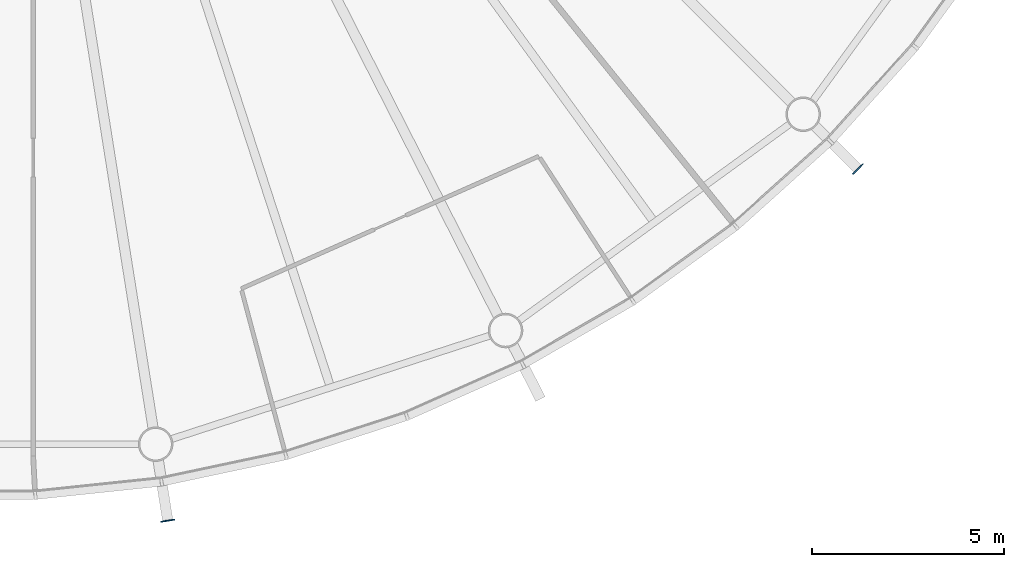
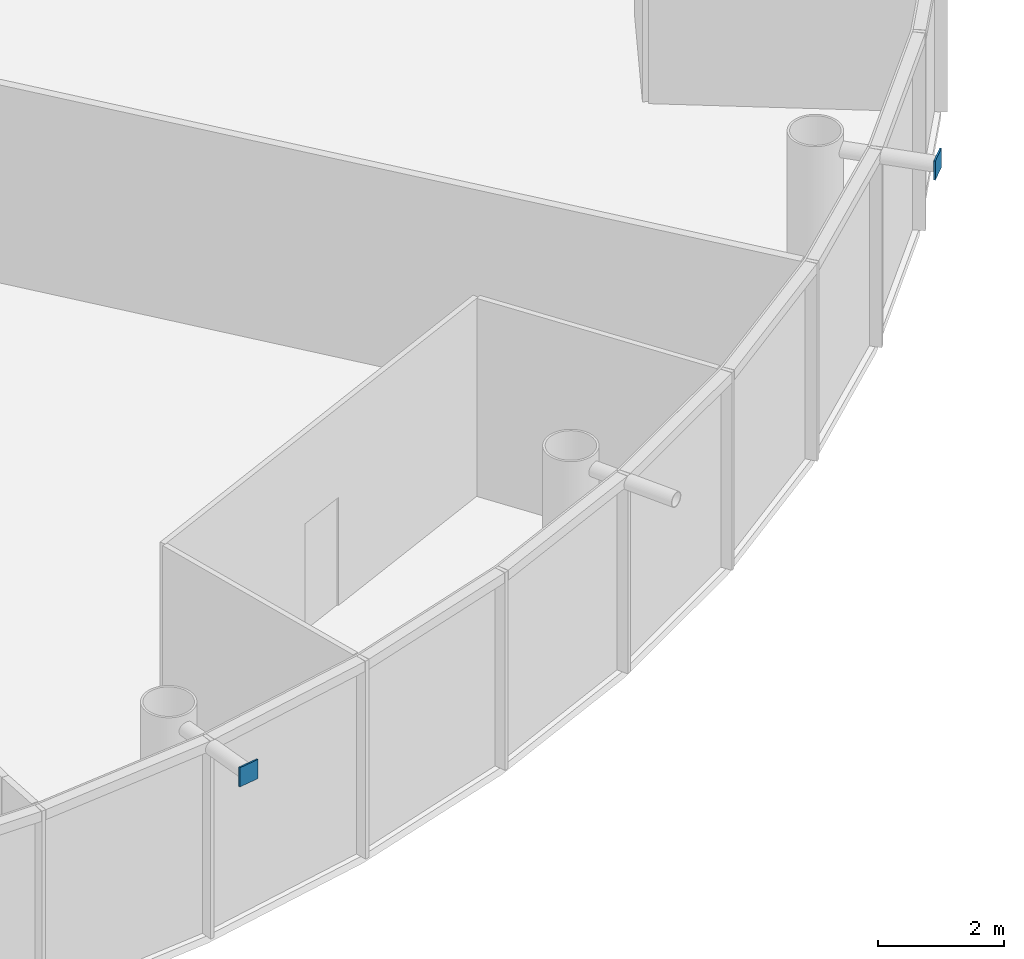
# One storey, part 8 of 18: 2 discrete accessories.
"""IFC4 building model written with IfcOpenShell, lengths in metres."""

import ifcopenshell
import ifcopenshell.guid

model = None  # the IFC model being written
_history = None  # IfcOwnerHistory: only IFC2X3 demands one
_inside = {}  # id of a spatial element -> (the spatial element, [elements in it])
_under = {}  # id of a project, library or spatial element -> (it, [spatial elements below it])
_declared = {}  # id of a project -> (the project, [libraries it declares])
_typed = {}  # id of a type object -> (the type object, [elements of that type])
_made_of = {}  # id of a material, layer set ... -> (it, [elements and type objects made of it])


def new_model(schema):
    """Start an empty IFC model of exactly this schema.

    Asked for "IFC4X3", IfcOpenShell would pick the latest addendum, in which some entities
    have other attributes; the version numbers below select the first issue.
    IFC2X3 requires an IfcOwnerHistory on every rooted entity: one is made here for all.
    """
    global model, _history
    if schema == "IFC4X3":
        model = ifcopenshell.file(schema_version=(4, 3, 0, 0))
    else:
        model = ifcopenshell.file(schema=schema)
    _inside.clear()
    _under.clear()
    _declared.clear()
    _typed.clear()
    _made_of.clear()
    _history = None
    if model.schema == "IFC2X3":
        org = make("IfcOrganization", Name="unknown")
        user = make(
            "IfcPersonAndOrganization",
            ThePerson=make("IfcPerson", FamilyName="unknown"),
            TheOrganization=org,
        )
        app = make(
            "IfcApplication",
            ApplicationDeveloper=org,
            Version="unknown",
            ApplicationFullName="unknown",
            ApplicationIdentifier="unknown",
        )
        _history = make(
            "IfcOwnerHistory",
            OwningUser=user,
            OwningApplication=app,
            ChangeAction="ADDED",
            CreationDate=0,
        )
    return model


def make(cls, **values):
    """One entity of the class cls with the attributes given. An attribute that is None is left unset."""
    return model.create_entity(
        cls, **{name: value for name, value in values.items() if value is not None}
    )


def rooted(cls, **values):
    """An entity with a GlobalId (a new one), such as an element, a storey or a relation."""
    return make(cls, GlobalId=ifcopenshell.guid.new(), OwnerHistory=_history, **values)


def si_unit(unit_type, name, prefix=None):
    """IfcSIUnit, for example si_unit("LENGTHUNIT", "METRE", prefix="MILLI")."""
    return make("IfcSIUnit", UnitType=unit_type, Prefix=prefix, Name=name)


def assignment(units):
    """IfcUnitAssignment: the units of a project."""
    return None if units is None else make("IfcUnitAssignment", Units=units)


def point(xyz):
    """IfcCartesianPoint."""
    return None if xyz is None else make("IfcCartesianPoint", Coordinates=xyz)


def direction(xyz):
    """IfcDirection."""
    return None if xyz is None else make("IfcDirection", DirectionRatios=xyz)


def frame(location, z_axis=None, x_axis=None):
    """IfcAxis2Placement3D, a coordinate frame: its origin and axes. An axis left out is left unset."""
    return make(
        "IfcAxis2Placement3D",
        Location=point(location),
        Axis=direction(z_axis),
        RefDirection=direction(x_axis),
    )


def frame_2d(location, x_axis=None):
    """IfcAxis2Placement2D, a coordinate frame in the plane: its origin and x axis."""
    return make(
        "IfcAxis2Placement2D", Location=point(location), RefDirection=direction(x_axis)
    )


def origin():
    """The frame at (0, 0, 0) with its axes left unset."""
    return frame((0.0, 0.0, 0.0))


def origin_2d():
    """The frame at (0, 0) in the plane with its x axis left unset."""
    return frame_2d((0.0, 0.0))


def place(relative_to, where):
    """IfcLocalPlacement: puts the frame where relative to a parent placement (None: the world)."""
    return make(
        "IfcLocalPlacement", PlacementRelTo=relative_to, RelativePlacement=where
    )


def context(
    kind, dimensions, precision=None, world=None, true_north=None, identifier=None
):
    """IfcGeometricRepresentationContext, for example the 3D "Model" context."""
    return make(
        "IfcGeometricRepresentationContext",
        ContextIdentifier=identifier,
        ContextType=kind,
        CoordinateSpaceDimension=dimensions,
        Precision=precision,
        WorldCoordinateSystem=world,
        TrueNorth=true_north,
    )


def subcontext(parent, identifier, kind, view, scale=None):
    """IfcGeometricRepresentationSubContext, for example "Body" below "Model"."""
    return make(
        "IfcGeometricRepresentationSubContext",
        ContextIdentifier=identifier,
        ContextType=kind,
        ParentContext=parent,
        TargetScale=scale,
        TargetView=view,
    )


def project(units=None, contexts=None):
    """IfcProject with its units and contexts."""
    return rooted(
        "IfcProject",
        Name="project",
        RepresentationContexts=contexts,
        UnitsInContext=assignment(units),
    )


def spatial(cls, under=None, at=None, **own):
    """A site, building, storey or space (cls), placed at a placement, below another one or the project."""
    s = rooted(cls, ObjectPlacement=at, **own)
    if under is not None:
        _under.setdefault(under.id(), (under, []))[1].append(s)
    return s


def profile(cls, at=None, kind="AREA", **sizes):
    """A parametric profile (cls). Its sizes go by their IFC names, for example OverallWidth=200.0."""
    return make(cls, ProfileType=kind, Position=at, **sizes)


def rectangle(**sizes):
    """IfcRectangleProfileDef."""
    return profile("IfcRectangleProfileDef", **sizes)


def extrude(swept, where, along, depth):
    """IfcExtrudedAreaSolid: the profile swept, set in the frame where, extruded along a direction by depth."""
    return make(
        "IfcExtrudedAreaSolid",
        SweptArea=swept,
        Position=where,
        ExtrudedDirection=direction(along),
        Depth=depth,
    )


def shape(context_of_items, identifier, shape_type, items):
    """IfcShapeRepresentation: the items that make up one representation, for example the "Body"."""
    return make(
        "IfcShapeRepresentation",
        ContextOfItems=context_of_items,
        RepresentationIdentifier=identifier,
        RepresentationType=shape_type,
        Items=items,
    )


def material(Name=None, Category=None):
    """IfcMaterial."""
    return make("IfcMaterial", Name=Name, Category=Category)


def made_of(thing, what):
    """Note that an element or type object is made of a material, layer set ...; save() writes the relation."""
    if what is not None:
        _made_of.setdefault(what.id(), (what, []))[1].append(thing)
    return thing


def element(
    cls,
    number,
    at=None,
    inside=None,
    cuts=None,
    type_object=None,
    material=None,
    context=None,
    identifier="Body",
    shape_type=None,
    held_by="IfcProductDefinitionShape",
    body=None,
    shapes=None,
    **own,
):
    """One element of the class cls, such as IfcWall. Its Tag is "e" and its number.

    at: its placement. inside: the storey or other place that contains it. cuts: it is an
    opening in that element (IfcRelVoidsElement). A single representation is given by context,
    identifier, shape_type and body (its items); several are given by shapes. held_by: the class
    of the entity that holds the representations. save() writes the other relations.
    """
    e = rooted(cls, Tag="e%d" % number, ObjectPlacement=at, **own)
    if body is not None:
        shapes = [shape(context, identifier, shape_type, body)]
    if shapes is not None:
        e.Representation = make(held_by, Representations=shapes)
    if inside is not None:
        _inside.setdefault(inside.id(), (inside, []))[1].append(e)
    if cuts is not None:
        rooted(
            "IfcRelVoidsElement", RelatingBuildingElement=cuts, RelatedOpeningElement=e
        )
    if type_object is not None:
        _typed.setdefault(type_object.id(), (type_object, []))[1].append(e)
    return made_of(e, material)


def aggregate(whole, parts):
    """IfcRelAggregates: a whole, such as a stair, and the parts it consists of."""
    return rooted("IfcRelAggregates", RelatingObject=whole, RelatedObjects=parts)


def save(model, path):
    """Write the relations noted so far, then the file.

    IfcRelAggregates (storeys below a building ...), IfcRelContainedInSpatialStructure (elements
    in a storey), IfcRelDefinesByType, IfcRelAssociatesMaterial and IfcRelDeclares: one each for
    every whole, place, type object, material and project.
    """
    for whole, parts in _under.values():
        aggregate(whole, parts)
    for where, things in _inside.values():
        rooted(
            "IfcRelContainedInSpatialStructure",
            RelatedElements=things,
            RelatingStructure=where,
        )
    for kind, things in _typed.values():
        rooted("IfcRelDefinesByType", RelatedObjects=things, RelatingType=kind)
    for what, things in _made_of.values():
        rooted("IfcRelAssociatesMaterial", RelatedObjects=things, RelatingMaterial=what)
    for by, libraries in _declared.values():
        rooted("IfcRelDeclares", RelatingContext=by, RelatedDefinitions=libraries)
    model.write(path)


model = new_model("IFC4")

# Units and contexts
model_context = context("Model", 3, precision=1e-05, world=origin(), true_north=direction((0.0, 1.0)))
body_context = subcontext(model_context, "Body", "Model", "MODEL_VIEW")
ifc_project = project(units=[si_unit("LENGTHUNIT", "METRE"), si_unit("AREAUNIT", "SQUARE_METRE"), si_unit("VOLUMEUNIT", "CUBIC_METRE"), si_unit("PLANEANGLEUNIT", "RADIAN"), si_unit("MASSUNIT", "GRAM", prefix="KILO")], contexts=[model_context])

# Site, building, storey
site_placement = place(None, origin())
site = spatial("IfcSite", under=ifc_project, at=site_placement, CompositionType="ELEMENT")
building_placement = place(site_placement, origin())
building = spatial("IfcBuilding", under=site, at=building_placement, Name="Entoto Ring Tower", CompositionType="ELEMENT")
storey_placement = place(building_placement, frame((0.0, 0.0, 388.0)))
storey = spatial("IfcBuildingStorey", under=building, at=storey_placement, Name="L90", CompositionType="ELEMENT", Elevation=388.0)

# Discrete accessories
ifc_material = material(Name="Steel S355", Category="steel")
for number, where, z_axis, x_axis, name in (
    (1, (95.10205078125, 47.78662109375, 3.52685546875), (0.0, 0.0, 1.0), (0.15643446504, -0.987688340595, 0.0), "Node strut end plate DS2 ring 28 16"),
    (2, (113.062255859375, 56.937744140625, 3.52685546875), (0.0, 0.0, 1.0), (0.707106781187, -0.707106781187, 0.0), "Node strut end plate DS2 ring 28 18"),
):
    element("IfcDiscreteAccessory", number, at=place(storey_placement, frame(where, z_axis=z_axis, x_axis=x_axis)), inside=storey, material=ifc_material, Name=name, PredefinedType="BRACKET", context=body_context, shape_type="SweptSolid", body=[
        extrude(rectangle(XDim=0.030029296875, YDim=0.373046875, at=origin_2d()), origin(), (0.0, 0.0, 1.0), 0.373046875),
    ])

save(model, "model.ifc")
